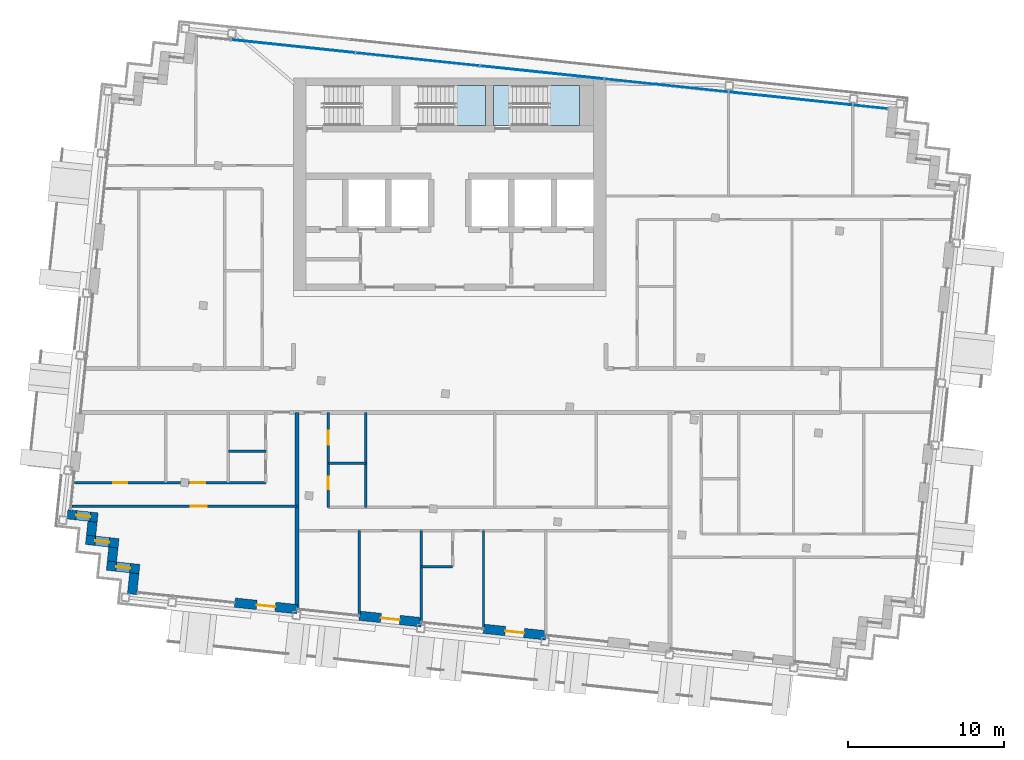
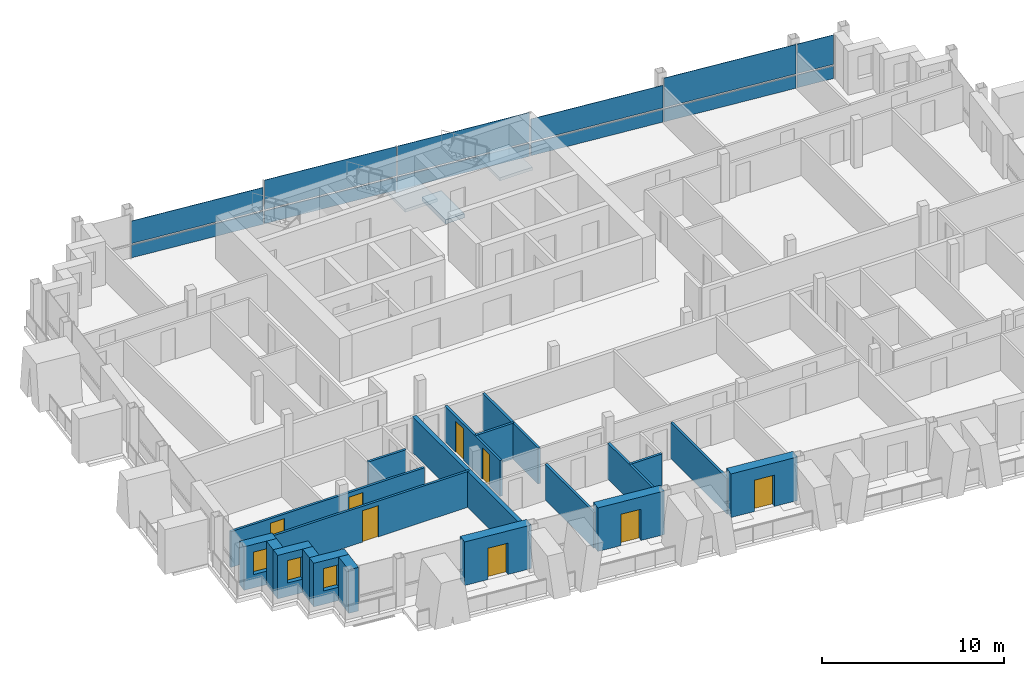
# One storey, part 8 of 16: 20 walls, 12 plates, 8 doors, 3 slabs, 3 windows, 11 openings, 3 elements without a shape of their own.
"""IFC4 building model written with IfcOpenShell, lengths in metres."""

import ifcopenshell
import ifcopenshell.guid

model = None  # the IFC model being written
_history = None  # IfcOwnerHistory: only IFC2X3 demands one
_inside = {}  # id of a spatial element -> (the spatial element, [elements in it])
_under = {}  # id of a project, library or spatial element -> (it, [spatial elements below it])
_declared = {}  # id of a project -> (the project, [libraries it declares])
_typed = {}  # id of a type object -> (the type object, [elements of that type])
_made_of = {}  # id of a material, layer set ... -> (it, [elements and type objects made of it])


def new_model(schema):
    """Start an empty IFC model of exactly this schema.

    Asked for "IFC4X3", IfcOpenShell would pick the latest addendum, in which some entities
    have other attributes; the version numbers below select the first issue.
    IFC2X3 requires an IfcOwnerHistory on every rooted entity: one is made here for all.
    """
    global model, _history
    if schema == "IFC4X3":
        model = ifcopenshell.file(schema_version=(4, 3, 0, 0))
    else:
        model = ifcopenshell.file(schema=schema)
    _inside.clear()
    _under.clear()
    _declared.clear()
    _typed.clear()
    _made_of.clear()
    _history = None
    if model.schema == "IFC2X3":
        org = make("IfcOrganization", Name="unknown")
        user = make(
            "IfcPersonAndOrganization",
            ThePerson=make("IfcPerson", FamilyName="unknown"),
            TheOrganization=org,
        )
        app = make(
            "IfcApplication",
            ApplicationDeveloper=org,
            Version="unknown",
            ApplicationFullName="unknown",
            ApplicationIdentifier="unknown",
        )
        _history = make(
            "IfcOwnerHistory",
            OwningUser=user,
            OwningApplication=app,
            ChangeAction="ADDED",
            CreationDate=0,
        )
    return model


def make(cls, **values):
    """One entity of the class cls with the attributes given. An attribute that is None is left unset."""
    return model.create_entity(
        cls, **{name: value for name, value in values.items() if value is not None}
    )


def rooted(cls, **values):
    """An entity with a GlobalId (a new one), such as an element, a storey or a relation."""
    return make(cls, GlobalId=ifcopenshell.guid.new(), OwnerHistory=_history, **values)


def si_unit(unit_type, name, prefix=None):
    """IfcSIUnit, for example si_unit("LENGTHUNIT", "METRE", prefix="MILLI")."""
    return make("IfcSIUnit", UnitType=unit_type, Prefix=prefix, Name=name)


def assignment(units):
    """IfcUnitAssignment: the units of a project."""
    return None if units is None else make("IfcUnitAssignment", Units=units)


def point(xyz):
    """IfcCartesianPoint."""
    return None if xyz is None else make("IfcCartesianPoint", Coordinates=xyz)


def direction(xyz):
    """IfcDirection."""
    return None if xyz is None else make("IfcDirection", DirectionRatios=xyz)


def frame(location, z_axis=None, x_axis=None):
    """IfcAxis2Placement3D, a coordinate frame: its origin and axes. An axis left out is left unset."""
    return make(
        "IfcAxis2Placement3D",
        Location=point(location),
        Axis=direction(z_axis),
        RefDirection=direction(x_axis),
    )


def frame_2d(location, x_axis=None):
    """IfcAxis2Placement2D, a coordinate frame in the plane: its origin and x axis."""
    return make(
        "IfcAxis2Placement2D", Location=point(location), RefDirection=direction(x_axis)
    )


def origin():
    """The frame at (0, 0, 0) with its axes left unset."""
    return frame((0.0, 0.0, 0.0))


def origin_2d():
    """The frame at (0, 0) in the plane with its x axis left unset."""
    return frame_2d((0.0, 0.0))


def place(relative_to, where):
    """IfcLocalPlacement: puts the frame where relative to a parent placement (None: the world)."""
    return make(
        "IfcLocalPlacement", PlacementRelTo=relative_to, RelativePlacement=where
    )


def context(
    kind, dimensions, precision=None, world=None, true_north=None, identifier=None
):
    """IfcGeometricRepresentationContext, for example the 3D "Model" context."""
    return make(
        "IfcGeometricRepresentationContext",
        ContextIdentifier=identifier,
        ContextType=kind,
        CoordinateSpaceDimension=dimensions,
        Precision=precision,
        WorldCoordinateSystem=world,
        TrueNorth=true_north,
    )


def subcontext(parent, identifier, kind, view, scale=None):
    """IfcGeometricRepresentationSubContext, for example "Body" below "Model"."""
    return make(
        "IfcGeometricRepresentationSubContext",
        ContextIdentifier=identifier,
        ContextType=kind,
        ParentContext=parent,
        TargetScale=scale,
        TargetView=view,
    )


def project(units=None, contexts=None):
    """IfcProject with its units and contexts."""
    return rooted(
        "IfcProject",
        Name="project",
        RepresentationContexts=contexts,
        UnitsInContext=assignment(units),
    )


def spatial(cls, under=None, at=None, **own):
    """A site, building, storey or space (cls), placed at a placement, below another one or the project."""
    s = rooted(cls, ObjectPlacement=at, **own)
    if under is not None:
        _under.setdefault(under.id(), (under, []))[1].append(s)
    return s


def polyline(points):
    """IfcPolyline through the points."""
    return make("IfcPolyline", Points=[point(p) for p in points])


def profile(cls, at=None, kind="AREA", **sizes):
    """A parametric profile (cls). Its sizes go by their IFC names, for example OverallWidth=200.0."""
    return make(cls, ProfileType=kind, Position=at, **sizes)


def rectangle(**sizes):
    """IfcRectangleProfileDef."""
    return profile("IfcRectangleProfileDef", **sizes)


def outline(outer, holes=None, kind="AREA"):
    """IfcArbitraryClosedProfileDef: a profile drawn as a closed curve; with holes, ...WithVoids."""
    if holes is None:
        return make("IfcArbitraryClosedProfileDef", ProfileType=kind, OuterCurve=outer)
    return make(
        "IfcArbitraryProfileDefWithVoids",
        ProfileType=kind,
        OuterCurve=outer,
        InnerCurves=holes,
    )


def extrude(swept, where, along, depth):
    """IfcExtrudedAreaSolid: the profile swept, set in the frame where, extruded along a direction by depth."""
    return make(
        "IfcExtrudedAreaSolid",
        SweptArea=swept,
        Position=where,
        ExtrudedDirection=direction(along),
        Depth=depth,
    )


def shape(context_of_items, identifier, shape_type, items):
    """IfcShapeRepresentation: the items that make up one representation, for example the "Body"."""
    return make(
        "IfcShapeRepresentation",
        ContextOfItems=context_of_items,
        RepresentationIdentifier=identifier,
        RepresentationType=shape_type,
        Items=items,
    )


def material(Name=None, Category=None):
    """IfcMaterial."""
    return make("IfcMaterial", Name=Name, Category=Category)


def layer(
    of_material, thickness, ventilated=None, Name=None, Category=None, Priority=None
):
    """IfcMaterialLayer: one layer of a wall or slab, of a material (None: an air gap)."""
    return make(
        "IfcMaterialLayer",
        Material=of_material,
        LayerThickness=thickness,
        IsVentilated=ventilated,
        Name=Name,
        Category=Category,
        Priority=Priority,
    )


def layer_set(layers, Name=None):
    """IfcMaterialLayerSet."""
    return make("IfcMaterialLayerSet", MaterialLayers=layers, LayerSetName=Name)


def made_of(thing, what):
    """Note that an element or type object is made of a material, layer set ...; save() writes the relation."""
    if what is not None:
        _made_of.setdefault(what.id(), (what, []))[1].append(thing)
    return thing


def type_object(cls, material=None, **own):
    """A type object (cls), such as IfcWallType, which elements share."""
    return made_of(rooted(cls, **own), material)


def element(
    cls,
    number,
    at=None,
    inside=None,
    cuts=None,
    type_object=None,
    material=None,
    context=None,
    identifier="Body",
    shape_type=None,
    held_by="IfcProductDefinitionShape",
    body=None,
    shapes=None,
    **own,
):
    """One element of the class cls, such as IfcWall. Its Tag is "e" and its number.

    at: its placement. inside: the storey or other place that contains it. cuts: it is an
    opening in that element (IfcRelVoidsElement). A single representation is given by context,
    identifier, shape_type and body (its items); several are given by shapes. held_by: the class
    of the entity that holds the representations. save() writes the other relations.
    """
    e = rooted(cls, Tag="e%d" % number, ObjectPlacement=at, **own)
    if body is not None:
        shapes = [shape(context, identifier, shape_type, body)]
    if shapes is not None:
        e.Representation = make(held_by, Representations=shapes)
    if inside is not None:
        _inside.setdefault(inside.id(), (inside, []))[1].append(e)
    if cuts is not None:
        rooted(
            "IfcRelVoidsElement", RelatingBuildingElement=cuts, RelatedOpeningElement=e
        )
    if type_object is not None:
        _typed.setdefault(type_object.id(), (type_object, []))[1].append(e)
    return made_of(e, material)


def fill(opening, filler):
    """IfcRelFillsElement: the door or window that sits in an opening."""
    return rooted(
        "IfcRelFillsElement",
        RelatingOpeningElement=opening,
        RelatedBuildingElement=filler,
    )


def aggregate(whole, parts):
    """IfcRelAggregates: a whole, such as a stair, and the parts it consists of."""
    return rooted("IfcRelAggregates", RelatingObject=whole, RelatedObjects=parts)


def save(model, path):
    """Write the relations noted so far, then the file.

    IfcRelAggregates (storeys below a building ...), IfcRelContainedInSpatialStructure (elements
    in a storey), IfcRelDefinesByType, IfcRelAssociatesMaterial and IfcRelDeclares: one each for
    every whole, place, type object, material and project.
    """
    for whole, parts in _under.values():
        aggregate(whole, parts)
    for where, things in _inside.values():
        rooted(
            "IfcRelContainedInSpatialStructure",
            RelatedElements=things,
            RelatingStructure=where,
        )
    for kind, things in _typed.values():
        rooted("IfcRelDefinesByType", RelatedObjects=things, RelatingType=kind)
    for what, things in _made_of.values():
        rooted("IfcRelAssociatesMaterial", RelatedObjects=things, RelatingMaterial=what)
    for by, libraries in _declared.values():
        rooted("IfcRelDeclares", RelatingContext=by, RelatedDefinitions=libraries)
    model.write(path)


model = new_model("IFC4")

# Units and contexts
model_context = context("Model", 3, precision=1e-05, world=origin(), true_north=direction((0.0, 1.0)))
body_context = subcontext(model_context, "Body", "Model", "MODEL_VIEW")
ifc_project = project(units=[si_unit("LENGTHUNIT", "METRE"), si_unit("AREAUNIT", "SQUARE_METRE"), si_unit("VOLUMEUNIT", "CUBIC_METRE"), si_unit("PLANEANGLEUNIT", "RADIAN"), si_unit("MASSUNIT", "GRAM", prefix="KILO")], contexts=[model_context])

# Site, building, storey
site_placement = place(None, origin())
site = spatial("IfcSite", under=ifc_project, at=site_placement, CompositionType="ELEMENT")
building_placement = place(site_placement, origin())
building = spatial("IfcBuilding", under=site, at=building_placement, Name="Vidyagriha Tower", CompositionType="ELEMENT")
storey_placement = place(building_placement, frame((0.0, 0.0, 259.5)))
storey = spatial("IfcBuildingStorey", under=building, at=storey_placement, Name="L67", CompositionType="ELEMENT", Elevation=259.5)

# Curtain wall, plates
ifc_material_1 = material(Name="Aluminium and glass curtain wall", Category="aluminium")
curtain_wall_type = type_object("IfcCurtainWallType", Name="Dwelling skin unitised curtain wall", PredefinedType="USERDEFINED", material=ifc_material_1)
curtain_wall_placement = place(storey_placement, origin())
curtain_wall = element("IfcCurtainWall", 1, at=curtain_wall_placement, inside=storey, type_object=curtain_wall_type, Name="CW1 dwelling skin", ObjectType="UNITISED", PredefinedType="USERDEFINED")
ifc_material_2 = material(Name="Glass dark ceramic-fritted spandrel", Category="glass")
ifc_layer_1 = layer(ifc_material_2, 0.0400390625)
ifc_layer_set_1 = layer_set([ifc_layer_1], Name="Glass dark ceramic-fritted spandrel")
plate_type_1 = type_object("IfcPlateType", Name="Ceramic-fritted spandrel panel", PredefinedType="CURTAIN_PANEL", material=ifc_layer_set_1)
plate_1_placement = place(storey_placement, frame((26.922607421875, 18.14599609375, 0.0), z_axis=(0.0, 0.0, 1.0), x_axis=(-0.994521854435, 0.104528852722, 0.0)))
plate_1 = element("IfcPlate", 2, at=plate_1_placement, type_object=plate_type_1, Name="CW1 panel 1.1", PredefinedType="CURTAIN_PANEL", context=body_context, shape_type="SweptSolid", body=[
    extrude(rectangle(XDim=2.195068359375, YDim=0.0400390625, at=origin_2d()), origin(), (0.0, 0.0, 1.0), 0.85009765625),
])
plate_2_placement = place(storey_placement, frame((13.862060546875, 19.518798828125, 0.0), z_axis=(0.0, 0.0, 1.0), x_axis=(-0.994521854435, 0.104528852722, 0.0)))
plate_2 = element("IfcPlate", 3, at=plate_2_placement, type_object=plate_type_1, Name="CW1 panel 3.1", PredefinedType="CURTAIN_PANEL", context=body_context, shape_type="SweptSolid", body=[
    extrude(rectangle(XDim=7.929931640625, YDim=0.0400390625, at=origin_2d()), origin(), (0.0, 0.0, 1.0), 0.85009765625),
])
plate_3_placement = place(storey_placement, frame((-2.05029296875, 21.191162109375, 0.0), z_axis=(0.0, 0.0, 1.0), x_axis=(-0.994521854435, 0.104528852722, 0.0)))
plate_3 = element("IfcPlate", 4, at=plate_3_placement, type_object=plate_type_1, Name="CW1 panel 5.1", PredefinedType="CURTAIN_PANEL", context=body_context, shape_type="SweptSolid", body=[
    extrude(rectangle(XDim=7.929931640625, YDim=0.0400390625, at=origin_2d()), origin(), (0.0, 0.0, 1.0), 0.85009765625),
])
ifc_material_3 = material(Name="Glass dark ceramic-fritted", Category="glass")
ifc_layer_2 = layer(ifc_material_3, 0.028076171875)
ifc_layer_set_2 = layer_set([ifc_layer_2], Name="Glass dark ceramic-fritted")
plate_type_2 = type_object("IfcPlateType", Name="Dark ceramic-fritted vision glass panel", PredefinedType="CURTAIN_PANEL", material=ifc_layer_set_2)
plate_4_placement = place(storey_placement, frame((26.922607421875, 18.14599609375, 0.9501953125), z_axis=(0.0, 0.0, 1.0), x_axis=(-0.994521854435, 0.104528852722, 0.0)))
plate_4 = element("IfcPlate", 5, at=plate_4_placement, type_object=plate_type_2, Name="CW1 panel 1.2", PredefinedType="CURTAIN_PANEL", context=body_context, shape_type="SweptSolid", body=[
    extrude(rectangle(XDim=2.195068359375, YDim=0.028076171875, at=origin_2d()), origin(), (0.0, 0.0, 1.0), 1.969970703125),
])
plate_5_placement = place(storey_placement, frame((21.818359375, 18.6826171875, 0.9501953125), z_axis=(0.0, 0.0, 1.0), x_axis=(-0.994521854435, 0.104528852722, 0.0)))
plate_5 = element("IfcPlate", 6, at=plate_5_placement, type_object=plate_type_2, Name="CW1 panel 2.2", PredefinedType="CURTAIN_PANEL", context=body_context, shape_type="SweptSolid", body=[
    extrude(rectangle(XDim=7.929931640625, YDim=0.028076171875, at=origin_2d()), origin(), (0.0, 0.0, 1.0), 1.969970703125),
])
plate_6_placement = place(storey_placement, frame((13.862060546875, 19.518798828125, 0.949951171875), z_axis=(0.0, 0.0, 1.0), x_axis=(-0.994521854435, 0.104528852722, 0.0)))
plate_6 = element("IfcPlate", 7, at=plate_6_placement, type_object=plate_type_2, Name="CW1 panel 3.2", PredefinedType="CURTAIN_PANEL", context=body_context, shape_type="SweptSolid", body=[
    extrude(rectangle(XDim=7.929931640625, YDim=0.028076171875, at=origin_2d()), origin(), (0.0, 0.0, 1.0), 1.5078125),
])
plate_7_placement = place(storey_placement, frame((5.906005859375, 20.35498046875, 0.9501953125), z_axis=(0.0, 0.0, 1.0), x_axis=(-0.994521854435, 0.104528852722, 0.0)))
plate_7 = element("IfcPlate", 8, at=plate_7_placement, type_object=plate_type_2, Name="CW1 panel 4.2", PredefinedType="CURTAIN_PANEL", context=body_context, shape_type="SweptSolid", body=[
    extrude(rectangle(XDim=7.929931640625, YDim=0.028076171875, at=origin_2d()), origin(), (0.0, 0.0, 1.0), 1.969970703125),
])
plate_8_placement = place(storey_placement, frame((-2.05029296875, 21.191162109375, 0.9501953125), z_axis=(0.0, 0.0, 1.0), x_axis=(-0.994521854435, 0.104528852722, 0.0)))
plate_8 = element("IfcPlate", 9, at=plate_8_placement, type_object=plate_type_2, Name="CW1 panel 5.2", PredefinedType="CURTAIN_PANEL", context=body_context, shape_type="SweptSolid", body=[
    extrude(rectangle(XDim=7.929931640625, YDim=0.028076171875, at=origin_2d()), origin(), (0.0, 0.0, 1.0), 1.969970703125),
])
plate_9_placement = place(storey_placement, frame((-10.00634765625, 22.027587890625, 0.949951171875), z_axis=(0.0, 0.0, 1.0), x_axis=(-0.994521854435, 0.104528852722, 0.0)))
plate_9 = element("IfcPlate", 10, at=plate_9_placement, type_object=plate_type_2, Name="CW1 panel 6.2", PredefinedType="CURTAIN_PANEL", context=body_context, shape_type="SweptSolid", body=[
    extrude(rectangle(XDim=7.929931640625, YDim=0.028076171875, at=origin_2d()), origin(), (0.0, 0.0, 1.0), 1.5078125),
])

# Slab
ifc_material_4 = material(Name="Concrete C40/50", Category="concrete")
ifc_layer_3 = layer(ifc_material_4, 0.280029296875)
ifc_layer_set_3 = layer_set([ifc_layer_3], Name="Concrete C40/50")
slab_type_1 = type_object("IfcSlabType", Name="Exit stair floor landing 280 mm", PredefinedType="LANDING", material=ifc_layer_set_3)
slab_1_placement = place(storey_placement, frame((0.0, 0.0, -0.280029296875)))
element("IfcSlab", 11, at=slab_1_placement, inside=storey, type_object=slab_type_1, Name="ST3 floor landing L67", PredefinedType="LANDING", context=body_context, shape_type="SweptSolid", body=[
    extrude(outline(polyline([(2.800048828125, 16.949951171875), (4.0, 16.949951171875), (4.0, 19.5), (2.800048828125, 19.5), (2.800048828125, 16.949951171875)])), origin(), (0.0, 0.0, 1.0), 0.280029296875),
])

# Stair, slab
ifc_material_5 = material(Name="Concrete C40/50", Category="concrete")
stair_type = type_object("IfcStairType", Name="Exit stair, half-turn, precast flights", PredefinedType="HALF_TURN_STAIR", material=ifc_material_5)
stair_1_placement = place(storey_placement, origin())
stair_1 = element("IfcStair", 12, at=stair_1_placement, inside=storey, type_object=stair_type, Name="L67 Exit Stair ST2", PredefinedType="HALF_TURN_STAIR")
ifc_material_6 = material(Name="Concrete C40/50", Category="concrete")
ifc_layer_4 = layer(ifc_material_6, 0.199951171875)
ifc_layer_set_4 = layer_set([ifc_layer_4], Name="Concrete C40/50")
slab_type_2 = type_object("IfcSlabType", Name="Exit stair landing 200 mm", PredefinedType="LANDING", material=ifc_layer_set_4)
slab_2_placement = place(storey_placement, frame((0.0, 0.0, 1.39990234375)))
slab_2 = element("IfcSlab", 13, at=slab_2_placement, type_object=slab_type_2, Name="ST2 landing 1", PredefinedType="LANDING", context=body_context, shape_type="SweptSolid", body=[
    extrude(outline(polyline([(0.239990234375, 16.949951171875), (2.300048828125, 16.949951171875), (2.300048828125, 19.5), (0.239990234375, 19.5), (0.239990234375, 16.949951171875)])), origin(), (0.0, 0.0, 1.0), 0.2001953125),
])
aggregate(stair_1, [slab_2])

stair_2_placement = place(storey_placement, origin())
stair_2 = element("IfcStair", 14, at=stair_2_placement, inside=storey, type_object=stair_type, Name="L67 Exit Stair ST3", PredefinedType="HALF_TURN_STAIR")
slab_3_placement = place(storey_placement, frame((0.0, 0.0, 1.39990234375)))
slab_3 = element("IfcSlab", 15, at=slab_3_placement, type_object=slab_type_2, Name="ST3 landing 1", PredefinedType="LANDING", context=body_context, shape_type="SweptSolid", body=[
    extrude(outline(polyline([(6.239990234375, 16.949951171875), (8.300048828125, 16.949951171875), (8.300048828125, 19.5), (6.239990234375, 19.5), (6.239990234375, 16.949951171875)])), origin(), (0.0, 0.0, 1.0), 0.2001953125),
])
aggregate(stair_2, [slab_3])

# Plate
ifc_material_7 = material(Name="Aluminium black anodised", Category="aluminium")
ifc_layer_5 = layer(ifc_material_7, 0.06005859375)
ifc_layer_set_5 = layer_set([ifc_layer_5], Name="Aluminium black anodised")
plate_type_3 = type_object("IfcPlateType", Name="Operable black-metal vent panel", PredefinedType="CURTAIN_PANEL", material=ifc_layer_set_5)
plate_10_placement = place(storey_placement, frame((21.818359375, 18.6826171875, 0.0), z_axis=(0.0, 0.0, 1.0), x_axis=(-0.994521854435, 0.104528852722, 0.0)))
plate_10 = element("IfcPlate", 16, at=plate_10_placement, type_object=plate_type_3, Name="CW1 panel 2.1", PredefinedType="CURTAIN_PANEL", context=body_context, shape_type="SweptSolid", body=[
    extrude(rectangle(XDim=7.929931640625, YDim=0.06005859375, at=origin_2d()), origin(), (0.0, 0.0, 1.0), 0.85009765625),
])

plate_11_placement = place(storey_placement, frame((5.906005859375, 20.35498046875, 0.0), z_axis=(0.0, 0.0, 1.0), x_axis=(-0.994521854435, 0.104528852722, 0.0)))
plate_11 = element("IfcPlate", 17, at=plate_11_placement, type_object=plate_type_3, Name="CW1 panel 4.1", PredefinedType="CURTAIN_PANEL", context=body_context, shape_type="SweptSolid", body=[
    extrude(rectangle(XDim=7.929931640625, YDim=0.06005859375, at=origin_2d()), origin(), (0.0, 0.0, 1.0), 0.85009765625),
])

plate_12_placement = place(storey_placement, frame((-10.00634765625, 22.027587890625, 0.0), z_axis=(0.0, 0.0, 1.0), x_axis=(-0.994521854435, 0.104528852722, 0.0)))
plate_12 = element("IfcPlate", 18, at=plate_12_placement, type_object=plate_type_3, Name="CW1 panel 6.1", PredefinedType="CURTAIN_PANEL", context=body_context, shape_type="SweptSolid", body=[
    extrude(rectangle(XDim=7.929931640625, YDim=0.06005859375, at=origin_2d()), origin(), (0.0, 0.0, 1.0), 0.85009765625),
])

aggregate(curtain_wall, [plate_1, plate_4, plate_10, plate_5, plate_2, plate_6, plate_11, plate_7, plate_3, plate_8, plate_12, plate_9])

# Wall, opening, window
ifc_material_8 = material(Name="Precast concrete C40/50 with brick facing", Category="concrete")
ifc_layer_6 = layer(ifc_material_8, 0.60009765625)
ifc_layer_set_6 = layer_set([ifc_layer_6], Name="Precast concrete C40/50 with brick facing")
wall_type_1 = type_object("IfcWallType", Name="Brick-faced precast wall 600", PredefinedType="STANDARD", material=ifc_layer_set_6)
wall_1_placement = place(storey_placement, frame((-24.466552734375, -7.92529296875, 0.0), z_axis=(0.0, 0.0, 1.0), x_axis=(0.994521219184, -0.104534896528, 0.0)))
wall_1 = element("IfcWall", 19, at=wall_1_placement, inside=storey, type_object=wall_type_1, Name="Stepped corner wall L67 R15", PredefinedType="STANDARD", context=body_context, shape_type="SweptSolid", body=[
    extrude(rectangle(XDim=1.9501953125, YDim=0.60009765625, at=frame_2d((0.97509765625, 0.0))), origin(), (0.0, 0.0, 1.0), 2.919921875),
])
opening_1_placement = place(wall_1_placement, frame((0.56005859375, 0.0, 0.89990234375)))
opening_1 = element("IfcOpeningElement", 20, at=opening_1_placement, cuts=wall_1, Name="Opening WN1", PredefinedType="OPENING", context=body_context, shape_type="SweptSolid", body=[
    extrude(rectangle(XDim=0.89990234375, YDim=1.5, at=frame_2d((0.449951171875, 0.75))), frame((0.0, 0.31005859375, 0.0), z_axis=(0.0, -1.0, 0.0), x_axis=(1.0, 0.0, 0.0)), (0.0, 0.0, 1.0), 0.6201171875),
])
ifc_material_9 = material(Name="Aluminium and glass window", Category="aluminium")
window_type = type_object("IfcWindowType", Name="Reveal window 900x1500", PartitioningType="NOTDEFINED", PredefinedType="WINDOW", material=ifc_material_9)
window_1_placement = place(opening_1_placement, origin())
window_1 = element("IfcWindow", 21, at=window_1_placement, inside=storey, type_object=window_type, Name="Reveal window L67 R15", OverallHeight=1.5, OverallWidth=0.89990234375, PartitioningType="SINGLE_PANEL", PredefinedType="WINDOW", context=body_context, shape_type="SweptSolid", body=[
    extrude(rectangle(XDim=0.89990234375, YDim=1.5, at=frame_2d((0.449951171875, 0.75))), frame((0.0, 0.030029296875, 0.0), z_axis=(0.0, -1.0, 0.0), x_axis=(1.0, 0.0, 0.0)), (0.0, 0.0, 1.0), 0.06005859375),
])
fill(opening_1, window_1)

# Wall
wall_2_placement = place(storey_placement, frame((-22.85693359375, -8.39599609375, 0.0), z_axis=(0.0, 0.0, 1.0), x_axis=(-0.104444712852, -0.994530694326, 0.0)))
element("IfcWall", 22, at=wall_2_placement, inside=storey, type_object=wall_type_1, Name="Stepped corner wall L67 R16", PredefinedType="STANDARD", context=body_context, shape_type="SweptSolid", body=[
    extrude(rectangle(XDim=0.89990234375, YDim=0.60009765625, at=frame_2d((0.449951171875, 0.0))), origin(), (0.0, 0.0, 1.0), 2.919921875),
])

# Wall, opening, window
wall_3_placement = place(storey_placement, frame((-23.28076171875, -9.55810546875, 0.0), z_axis=(0.0, 0.0, 1.0), x_axis=(0.994523910136, -0.104509292252, 0.0)))
wall_3 = element("IfcWall", 23, at=wall_3_placement, inside=storey, type_object=wall_type_1, Name="Stepped corner wall L67 R17", PredefinedType="STANDARD", context=body_context, shape_type="SweptSolid", body=[
    extrude(rectangle(XDim=2.10009765625, YDim=0.60009765625, at=frame_2d((1.050048828125, 0.0))), origin(), (0.0, 0.0, 1.0), 2.919921875),
])
opening_2_placement = place(wall_3_placement, frame((0.60009765625, 0.0, 0.89990234375)))
opening_2 = element("IfcOpeningElement", 24, at=opening_2_placement, cuts=wall_3, Name="Opening WN1", PredefinedType="OPENING", context=body_context, shape_type="SweptSolid", body=[
    extrude(rectangle(XDim=0.89990234375, YDim=1.5, at=frame_2d((0.449951171875, 0.75))), frame((0.0, 0.31005859375, 0.0), z_axis=(0.0, -1.0, 0.0), x_axis=(1.0, 0.0, 0.0)), (0.0, 0.0, 1.0), 0.6201171875),
])
window_2_placement = place(opening_2_placement, origin())
window_2 = element("IfcWindow", 25, at=window_2_placement, inside=storey, type_object=window_type, Name="Reveal window L67 R17", OverallHeight=1.5, OverallWidth=0.89990234375, PartitioningType="SINGLE_PANEL", PredefinedType="WINDOW", context=body_context, shape_type="SweptSolid", body=[
    extrude(rectangle(XDim=0.89990234375, YDim=1.5, at=frame_2d((0.449951171875, 0.75))), frame((0.0, 0.030029296875, 0.0), z_axis=(0.0, -1.0, 0.0), x_axis=(1.0, 0.0, 0.0)), (0.0, 0.0, 1.0), 0.06005859375),
])
fill(opening_2, window_2)

# Wall
wall_4_placement = place(storey_placement, frame((-21.52197265625, -10.04443359375, 0.0), z_axis=(0.0, 0.0, 1.0), x_axis=(-0.104416541099, -0.994533652495, 0.0)))
element("IfcWall", 26, at=wall_4_placement, inside=storey, type_object=wall_type_1, Name="Stepped corner wall L67 R18", PredefinedType="STANDARD", context=body_context, shape_type="SweptSolid", body=[
    extrude(rectangle(XDim=0.900146484375, YDim=0.60009765625, at=frame_2d((0.4501953125, 0.0))), origin(), (0.0, 0.0, 1.0), 2.919921875),
])

# Wall, opening, window
wall_5_placement = place(storey_placement, frame((-21.94580078125, -11.20654296875, 0.0), z_axis=(0.0, 0.0, 1.0), x_axis=(0.994511820899, -0.104624271047, 0.0)))
wall_5 = element("IfcWall", 27, at=wall_5_placement, inside=storey, type_object=wall_type_1, Name="Stepped corner wall L67 R19", PredefinedType="STANDARD", context=body_context, shape_type="SweptSolid", body=[
    extrude(rectangle(XDim=2.10009765625, YDim=0.60009765625, at=frame_2d((1.050048828125, 0.0))), origin(), (0.0, 0.0, 1.0), 2.919921875),
])
opening_3_placement = place(wall_5_placement, frame((0.60009765625, 0.0, 0.89990234375)))
opening_3 = element("IfcOpeningElement", 28, at=opening_3_placement, cuts=wall_5, Name="Opening WN1", PredefinedType="OPENING", context=body_context, shape_type="SweptSolid", body=[
    extrude(rectangle(XDim=0.89990234375, YDim=1.5, at=frame_2d((0.449951171875, 0.75))), frame((0.0, 0.31005859375, 0.0), z_axis=(0.0, -1.0, 0.0), x_axis=(1.0, 0.0, 0.0)), (0.0, 0.0, 1.0), 0.6201171875),
])
window_3_placement = place(opening_3_placement, origin())
window_3 = element("IfcWindow", 29, at=window_3_placement, inside=storey, type_object=window_type, Name="Reveal window L67 R19", OverallHeight=1.5, OverallWidth=0.89990234375, PartitioningType="SINGLE_PANEL", PredefinedType="WINDOW", context=body_context, shape_type="SweptSolid", body=[
    extrude(rectangle(XDim=0.89990234375, YDim=1.5, at=frame_2d((0.449951171875, 0.75))), frame((0.0, 0.030029296875, 0.0), z_axis=(0.0, -1.0, 0.0), x_axis=(1.0, 0.0, 0.0)), (0.0, 0.0, 1.0), 0.06005859375),
])
fill(opening_3, window_3)

# Wall
wall_6_placement = place(storey_placement, frame((-20.18701171875, -11.693115234375, 0.0), z_axis=(0.0, 0.0, 1.0), x_axis=(-0.1043365026, -0.994542052517, 0.0)))
element("IfcWall", 30, at=wall_6_placement, inside=storey, type_object=wall_type_1, Name="Stepped corner wall L67 R20", PredefinedType="STANDARD", context=body_context, shape_type="SweptSolid", body=[
    extrude(rectangle(XDim=1.35009765625, YDim=0.60009765625, at=frame_2d((0.675048828125, 0.0))), origin(), (0.0, 0.0, 1.0), 2.919921875),
])

# Wall, opening, door
wall_7_placement = place(storey_placement, frame((-13.74853515625, -13.576416015625, 0.0), z_axis=(0.0, 0.0, 1.0), x_axis=(0.994519156568, -0.104554517933, 0.0)))
wall_7 = element("IfcWall", 31, at=wall_7_placement, inside=storey, type_object=wall_type_1, Name="Brick door bay wall L67 R21.3", PredefinedType="STANDARD", context=body_context, shape_type="SweptSolid", body=[
    extrude(rectangle(XDim=4.0, YDim=0.60009765625, at=frame_2d((2.0, 0.0))), origin(), (0.0, 0.0, 1.0), 2.919921875),
])
opening_4_placement = place(wall_7_placement, frame((1.39990234375, 0.0, 0.0)))
opening_4 = element("IfcOpeningElement", 32, at=opening_4_placement, cuts=wall_7, Name="Opening D67-56", PredefinedType="OPENING", context=body_context, shape_type="SweptSolid", body=[
    extrude(rectangle(XDim=1.199951171875, YDim=2.10009765625, at=frame_2d((0.60009765625, 1.050048828125))), frame((0.0, 0.31005859375, 0.0), z_axis=(0.0, -1.0, 0.0), x_axis=(1.0, 0.0, 0.0)), (0.0, 0.0, 1.0), 0.6201171875),
])
ifc_material_10 = material(Name="Aluminium framed glazed sliding door", Category="aluminium")
door_type_1 = type_object("IfcDoorType", Name="Balcony sliding door 1200x2100", OperationType="NOTDEFINED", PredefinedType="DOOR", material=ifc_material_10)
door_1_placement = place(opening_4_placement, origin())
door_1 = element("IfcDoor", 33, at=door_1_placement, inside=storey, type_object=door_type_1, Name="Door D67-56", OperationType="SLIDING_TO_LEFT", OverallHeight=2.10009765625, OverallWidth=1.199951171875, PredefinedType="DOOR", context=body_context, shape_type="SweptSolid", body=[
    extrude(rectangle(XDim=1.199951171875, YDim=2.10009765625, at=frame_2d((0.60009765625, 1.050048828125))), frame((0.0, 0.02490234375, 0.0), z_axis=(0.0, -1.0, 0.0), x_axis=(1.0, 0.0, 0.0)), (0.0, 0.0, 1.0), 0.050048828125),
])
fill(opening_4, door_1)

wall_8_placement = place(storey_placement, frame((-5.792236328125, -14.412841796875, 0.0), z_axis=(0.0, 0.0, 1.0), x_axis=(0.99452550138, -0.104494148666, 0.0)))
wall_8 = element("IfcWall", 34, at=wall_8_placement, inside=storey, type_object=wall_type_1, Name="Brick door bay wall L67 R21.5", PredefinedType="STANDARD", context=body_context, shape_type="SweptSolid", body=[
    extrude(rectangle(XDim=4.0, YDim=0.60009765625, at=frame_2d((2.0, 0.0))), origin(), (0.0, 0.0, 1.0), 2.919921875),
])
opening_5_placement = place(wall_8_placement, frame((1.39990234375, 0.0, 0.0)))
opening_5 = element("IfcOpeningElement", 35, at=opening_5_placement, cuts=wall_8, Name="Opening D67-57", PredefinedType="OPENING", context=body_context, shape_type="SweptSolid", body=[
    extrude(rectangle(XDim=1.199951171875, YDim=2.10009765625, at=frame_2d((0.60009765625, 1.050048828125))), frame((0.0, 0.31005859375, 0.0), z_axis=(0.0, -1.0, 0.0), x_axis=(1.0, 0.0, 0.0)), (0.0, 0.0, 1.0), 0.6201171875),
])
door_2_placement = place(opening_5_placement, origin())
door_2 = element("IfcDoor", 36, at=door_2_placement, inside=storey, type_object=door_type_1, Name="Door D67-57", OperationType="SLIDING_TO_LEFT", OverallHeight=2.10009765625, OverallWidth=1.199951171875, PredefinedType="DOOR", context=body_context, shape_type="SweptSolid", body=[
    extrude(rectangle(XDim=1.199951171875, YDim=2.10009765625, at=frame_2d((0.60009765625, 1.050048828125))), frame((0.0, 0.02490234375, 0.0), z_axis=(0.0, -1.0, 0.0), x_axis=(1.0, 0.0, 0.0)), (0.0, 0.0, 1.0), 0.050048828125),
])
fill(opening_5, door_2)

wall_9_placement = place(storey_placement, frame((2.163818359375, -15.2490234375, 0.0), z_axis=(0.0, 0.0, 1.0), x_axis=(0.99452550138, -0.104494148666, 0.0)))
wall_9 = element("IfcWall", 37, at=wall_9_placement, inside=storey, type_object=wall_type_1, Name="Brick door bay wall L67 R21.7", PredefinedType="STANDARD", context=body_context, shape_type="SweptSolid", body=[
    extrude(rectangle(XDim=4.0, YDim=0.60009765625, at=frame_2d((2.0, 0.0))), origin(), (0.0, 0.0, 1.0), 2.919921875),
])
opening_6_placement = place(wall_9_placement, frame((1.39990234375, 0.0, 0.0)))
opening_6 = element("IfcOpeningElement", 38, at=opening_6_placement, cuts=wall_9, Name="Opening D67-58", PredefinedType="OPENING", context=body_context, shape_type="SweptSolid", body=[
    extrude(rectangle(XDim=1.199951171875, YDim=2.10009765625, at=frame_2d((0.60009765625, 1.050048828125))), frame((0.0, 0.31005859375, 0.0), z_axis=(0.0, -1.0, 0.0), x_axis=(1.0, 0.0, 0.0)), (0.0, 0.0, 1.0), 0.6201171875),
])
door_3_placement = place(opening_6_placement, origin())
door_3 = element("IfcDoor", 39, at=door_3_placement, inside=storey, type_object=door_type_1, Name="Door D67-58", OperationType="SLIDING_TO_LEFT", OverallHeight=2.10009765625, OverallWidth=1.199951171875, PredefinedType="DOOR", context=body_context, shape_type="SweptSolid", body=[
    extrude(rectangle(XDim=1.199951171875, YDim=2.10009765625, at=frame_2d((0.60009765625, 1.050048828125))), frame((0.0, 0.02490234375, 0.0), z_axis=(0.0, -1.0, 0.0), x_axis=(1.0, 0.0, 0.0)), (0.0, 0.0, 1.0), 0.050048828125),
])
fill(opening_6, door_3)

# Walls
ifc_material_11 = material(Name="Fired clay brick masonry", Category="masonry")
ifc_layer_7 = layer(ifc_material_11, 0.25)
ifc_layer_set_7 = layer_set([ifc_layer_7], Name="Fired clay brick masonry")
wall_type_2 = type_object("IfcWallType", Name="Fired clay brick demising wall 250", PredefinedType="PARTITIONING", material=ifc_layer_set_7)
wall_10_placement = place(storey_placement, frame((-9.77001953125, -1.39990234375, 0.0), z_axis=(0.0, 0.0, 1.0), x_axis=(0.0, -1.0, 0.0)))
element("IfcWall", 40, at=wall_10_placement, inside=storey, type_object=wall_type_2, Name="Wall all-L67-w038", PredefinedType="PARTITIONING", context=body_context, shape_type="SweptSolid", body=[
    extrude(rectangle(XDim=12.50439453125, YDim=0.25, at=frame_2d((6.252197265625, 0.0))), origin(), (0.0, 0.0, 1.0), 2.39990234375),
])
ifc_material_12 = material(Name="Gypsum board partition")
ifc_layer_8 = layer(ifc_material_12, 0.14990234375)
ifc_layer_set_8 = layer_set([ifc_layer_8], Name="Gypsum board partition")
wall_type_3 = type_object("IfcWallType", Name="Gypsum board partition 150", PredefinedType="PARTITIONING", material=ifc_layer_set_8)
wall_11_placement = place(storey_placement, frame((-11.77001953125, -3.89990234375, 0.0), z_axis=(0.0, 0.0, 1.0), x_axis=(-1.0, 0.0, 0.0)))
element("IfcWall", 41, at=wall_11_placement, inside=storey, type_object=wall_type_3, Name="Wall all-L67-w004", PredefinedType="PARTITIONING", context=body_context, shape_type="SweptSolid", body=[
    extrude(rectangle(XDim=2.39990234375, YDim=0.14990234375, at=frame_2d((1.199951171875, 0.0))), origin(), (0.0, 0.0, 1.0), 2.39990234375),
])

# Wall, openings, doors
wall_12_placement = place(storey_placement, frame((-24.0234375, -5.89990234375, 0.0)))
wall_12 = element("IfcWall", 42, at=wall_12_placement, inside=storey, type_object=wall_type_3, Name="Wall all-L67-w007", PredefinedType="PARTITIONING", context=body_context, shape_type="SweptSolid", body=[
    extrude(rectangle(XDim=12.25341796875, YDim=0.14990234375, at=frame_2d((6.126708984375, 0.0))), origin(), (0.0, 0.0, 1.0), 2.39990234375),
])
opening_7_placement = place(wall_12_placement, frame((7.46484375, 0.0, 0.0)))
opening_7 = element("IfcOpeningElement", 43, at=opening_7_placement, cuts=wall_12, Name="Opening D67-13", PredefinedType="OPENING", context=body_context, shape_type="SweptSolid", body=[
    extrude(rectangle(XDim=0.89990234375, YDim=2.10009765625, at=frame_2d((0.449951171875, 1.050048828125))), frame((0.0, 0.0849609375, 0.0), z_axis=(0.0, -1.0, 0.0), x_axis=(1.0, 0.0, 0.0)), (0.0, 0.0, 1.0), 0.169921875),
])
opening_8_placement = place(wall_12_placement, frame((2.494384765625, 0.0, 0.0)))
opening_8 = element("IfcOpeningElement", 44, at=opening_8_placement, cuts=wall_12, Name="Opening D67-14", PredefinedType="OPENING", context=body_context, shape_type="SweptSolid", body=[
    extrude(rectangle(XDim=0.89990234375, YDim=2.10009765625, at=frame_2d((0.449951171875, 1.050048828125))), frame((0.0, 0.0849609375, 0.0), z_axis=(0.0, -1.0, 0.0), x_axis=(1.0, 0.0, 0.0)), (0.0, 0.0, 1.0), 0.169921875),
])
ifc_material_13 = material(Name="Timber door leaf", Category="wood")
door_type_2 = type_object("IfcDoorType", Name="Room door 900x2100", OperationType="NOTDEFINED", PredefinedType="DOOR", material=ifc_material_13)
door_4_placement = place(opening_7_placement, origin())
door_4 = element("IfcDoor", 45, at=door_4_placement, inside=storey, type_object=door_type_2, Name="Door D67-13", OperationType="SINGLE_SWING_RIGHT", OverallHeight=2.10009765625, OverallWidth=0.89990234375, PredefinedType="DOOR", context=body_context, shape_type="SweptSolid", body=[
    extrude(rectangle(XDim=0.89990234375, YDim=2.10009765625, at=frame_2d((0.449951171875, 1.050048828125))), frame((0.0, 0.02490234375, 0.0), z_axis=(0.0, -1.0, 0.0), x_axis=(1.0, 0.0, 0.0)), (0.0, 0.0, 1.0), 0.050048828125),
])
fill(opening_7, door_4)
door_5_placement = place(opening_8_placement, origin())
door_5 = element("IfcDoor", 46, at=door_5_placement, inside=storey, type_object=door_type_2, Name="Door D67-14", OperationType="SINGLE_SWING_LEFT", OverallHeight=2.10009765625, OverallWidth=0.89990234375, PredefinedType="DOOR", context=body_context, shape_type="SweptSolid", body=[
    extrude(rectangle(XDim=0.89990234375, YDim=2.10009765625, at=frame_2d((0.449951171875, 1.050048828125))), frame((0.0, 0.02490234375, 0.0), z_axis=(0.0, -1.0, 0.0), x_axis=(1.0, 0.0, 0.0)), (0.0, 0.0, 1.0), 0.050048828125),
])
fill(opening_8, door_5)

# Wall, opening, door
wall_13_placement = place(storey_placement, frame((-9.77001953125, -7.39990234375, 0.0), z_axis=(0.0, 0.0, 1.0), x_axis=(-1.0, 0.0, 0.0)))
wall_13 = element("IfcWall", 47, at=wall_13_placement, inside=storey, type_object=wall_type_3, Name="Wall all-L67-w010", PredefinedType="PARTITIONING", context=body_context, shape_type="SweptSolid", body=[
    extrude(rectangle(XDim=14.4111328125, YDim=0.14990234375, at=frame_2d((7.20556640625, 0.0))), origin(), (0.0, 0.0, 1.0), 2.39990234375),
])
opening_9_placement = place(wall_13_placement, frame((5.78857421875, 0.0, 0.0)))
opening_9 = element("IfcOpeningElement", 48, at=opening_9_placement, cuts=wall_13, Name="Opening D67-15", PredefinedType="OPENING", context=body_context, shape_type="SweptSolid", body=[
    extrude(rectangle(XDim=1.0, YDim=2.10009765625, at=frame_2d((0.5, 1.050048828125))), frame((0.0, 0.0849609375, 0.0), z_axis=(0.0, -1.0, 0.0), x_axis=(1.0, 0.0, 0.0)), (0.0, 0.0, 1.0), 0.169921875),
])
ifc_material_14 = material(Name="Timber door leaf", Category="wood")
door_type_3 = type_object("IfcDoorType", Name="Room door 1000x2100", OperationType="NOTDEFINED", PredefinedType="DOOR", material=ifc_material_14)
door_6_placement = place(opening_9_placement, origin())
door_6 = element("IfcDoor", 49, at=door_6_placement, inside=storey, type_object=door_type_3, Name="Door D67-15", OperationType="SINGLE_SWING_LEFT", OverallHeight=2.10009765625, OverallWidth=1.0, PredefinedType="DOOR", context=body_context, shape_type="SweptSolid", body=[
    extrude(rectangle(XDim=1.0, YDim=2.10009765625, at=frame_2d((0.5, 1.050048828125))), frame((0.0, 0.02490234375, 0.0), z_axis=(0.0, -1.0, 0.0), x_axis=(1.0, 0.0, 0.0)), (0.0, 0.0, 1.0), 0.050048828125),
])
fill(opening_9, door_6)

# Walls
wall_14_placement = place(storey_placement, frame((-5.3701171875, -4.64990234375, 0.0), z_axis=(0.0, 0.0, 1.0), x_axis=(-1.0, 0.0, 0.0)))
element("IfcWall", 50, at=wall_14_placement, inside=storey, type_object=wall_type_3, Name="Wall all-L67-w016", PredefinedType="PARTITIONING", context=body_context, shape_type="SweptSolid", body=[
    extrude(rectangle(XDim=2.39990234375, YDim=0.14990234375, at=frame_2d((1.199951171875, 0.0))), origin(), (0.0, 0.0, 1.0), 2.39990234375),
])
wall_15_placement = place(storey_placement, frame((-5.3701171875, -1.39990234375, 0.0), z_axis=(0.0, 0.0, 1.0), x_axis=(0.0, -1.0, 0.0)))
element("IfcWall", 51, at=wall_15_placement, inside=storey, type_object=wall_type_3, Name="Wall all-L67-w017", PredefinedType="PARTITIONING", context=body_context, shape_type="SweptSolid", body=[
    extrude(rectangle(XDim=6.07470703125, YDim=0.14990234375, at=frame_2d((3.037353515625, 0.0))), origin(), (0.0, 0.0, 1.0), 2.39990234375),
])
wall_16_placement = place(storey_placement, frame((-5.792236328125, -8.974609375, 0.0), z_axis=(0.0, 0.0, 1.0), x_axis=(0.0, -1.0, 0.0)))
element("IfcWall", 52, at=wall_16_placement, inside=storey, type_object=wall_type_3, Name="Wall all-L67-w030", PredefinedType="PARTITIONING", context=body_context, shape_type="SweptSolid", body=[
    extrude(rectangle(XDim=5.358642578125, YDim=0.14990234375, at=frame_2d((2.67919921875, 0.0))), origin(), (0.0, 0.0, 1.0), 2.39990234375),
])
wall_17_placement = place(storey_placement, frame((-1.814208984375, -8.974609375, 0.0), z_axis=(0.0, 0.0, 1.0), x_axis=(0.0, -1.0, 0.0)))
element("IfcWall", 53, at=wall_17_placement, inside=storey, type_object=wall_type_3, Name="Wall all-L67-w031", PredefinedType="PARTITIONING", context=body_context, shape_type="SweptSolid", body=[
    extrude(rectangle(XDim=5.765869140625, YDim=0.14990234375, at=frame_2d((2.8828125, 0.0))), origin(), (0.0, 0.0, 1.0), 2.39990234375),
])
wall_18_placement = place(storey_placement, frame((2.163818359375, -8.974609375, 0.0), z_axis=(0.0, 0.0, 1.0), x_axis=(0.0, -1.0, 0.0)))
element("IfcWall", 54, at=wall_18_placement, inside=storey, type_object=wall_type_3, Name="Wall all-L67-w032", PredefinedType="PARTITIONING", context=body_context, shape_type="SweptSolid", body=[
    extrude(rectangle(XDim=6.19482421875, YDim=0.14990234375, at=frame_2d((3.097412109375, 0.0))), origin(), (0.0, 0.0, 1.0), 2.39990234375),
])
wall_19_placement = place(storey_placement, frame((0.185791015625, -11.2744140625, 0.0), z_axis=(0.0, 0.0, 1.0), x_axis=(-1.0, 0.0, 0.0)))
element("IfcWall", 55, at=wall_19_placement, inside=storey, type_object=wall_type_3, Name="Wall all-L67-w035", PredefinedType="PARTITIONING", context=body_context, shape_type="SweptSolid", body=[
    extrude(rectangle(XDim=2.0, YDim=0.14990234375, at=frame_2d((1.0, 0.0))), origin(), (0.0, 0.0, 1.0), 2.39990234375),
])

# Wall, openings, doors
ifc_material_15 = material(Name="Moisture resistant gypsum board partition")
ifc_layer_9 = layer(ifc_material_15, 0.14990234375)
ifc_layer_set_9 = layer_set([ifc_layer_9], Name="Moisture resistant gypsum board partition")
wall_type_4 = type_object("IfcWallType", Name="Gypsum board wet-area partition 150", PredefinedType="PARTITIONING", material=ifc_layer_set_9)
wall_20_placement = place(storey_placement, frame((-7.77001953125, -1.39990234375, 0.0), z_axis=(0.0, 0.0, 1.0), x_axis=(0.0, -1.0, 0.0)))
wall_20 = element("IfcWall", 56, at=wall_20_placement, inside=storey, type_object=wall_type_4, Name="Wall all-L67-w013", PredefinedType="PARTITIONING", context=body_context, shape_type="SweptSolid", body=[
    extrude(rectangle(XDim=6.07470703125, YDim=0.14990234375, at=frame_2d((3.037353515625, 0.0))), origin(), (0.0, 0.0, 1.0), 2.39990234375),
])
opening_10_placement = place(wall_20_placement, frame((1.175048828125, 0.0, 0.0)))
opening_10 = element("IfcOpeningElement", 57, at=opening_10_placement, cuts=wall_20, Name="Opening D67-17", PredefinedType="OPENING", context=body_context, shape_type="SweptSolid", body=[
    extrude(rectangle(XDim=0.89990234375, YDim=2.10009765625, at=frame_2d((0.449951171875, 1.050048828125))), frame((0.0, 0.0849609375, 0.0), z_axis=(0.0, -1.0, 0.0), x_axis=(1.0, 0.0, 0.0)), (0.0, 0.0, 1.0), 0.169921875),
])
opening_11_placement = place(wall_20_placement, frame((4.129638671875, 0.0, 0.0)))
opening_11 = element("IfcOpeningElement", 58, at=opening_11_placement, cuts=wall_20, Name="Opening D67-18", PredefinedType="OPENING", context=body_context, shape_type="SweptSolid", body=[
    extrude(rectangle(XDim=0.800048828125, YDim=2.10009765625, at=frame_2d((0.39990234375, 1.050048828125))), frame((0.0, 0.0849609375, 0.0), z_axis=(0.0, -1.0, 0.0), x_axis=(1.0, 0.0, 0.0)), (0.0, 0.0, 1.0), 0.169921875),
])
ifc_material_16 = material(Name="Timber door leaf", Category="wood")
door_type_4 = type_object("IfcDoorType", Name="Bathroom door 800x2100", OperationType="NOTDEFINED", PredefinedType="DOOR", material=ifc_material_16)
door_7_placement = place(opening_11_placement, origin())
door_7 = element("IfcDoor", 59, at=door_7_placement, inside=storey, type_object=door_type_4, Name="Door D67-18", OperationType="SINGLE_SWING_LEFT", OverallHeight=2.10009765625, OverallWidth=0.800048828125, PredefinedType="DOOR", context=body_context, shape_type="SweptSolid", body=[
    extrude(rectangle(XDim=0.800048828125, YDim=2.10009765625, at=frame_2d((0.39990234375, 1.050048828125))), frame((0.0, 0.02490234375, 0.0), z_axis=(0.0, -1.0, 0.0), x_axis=(1.0, 0.0, 0.0)), (0.0, 0.0, 1.0), 0.050048828125),
])
fill(opening_11, door_7)
ifc_material_17 = material(Name="Timber door leaf", Category="wood")
door_type_5 = type_object("IfcDoorType", Name="Kitchen door 900x2100", OperationType="NOTDEFINED", PredefinedType="DOOR", material=ifc_material_17)
door_8_placement = place(opening_10_placement, origin())
door_8 = element("IfcDoor", 60, at=door_8_placement, inside=storey, type_object=door_type_5, Name="Door D67-17", OperationType="SINGLE_SWING_LEFT", OverallHeight=2.10009765625, OverallWidth=0.89990234375, PredefinedType="DOOR", context=body_context, shape_type="SweptSolid", body=[
    extrude(rectangle(XDim=0.89990234375, YDim=2.10009765625, at=frame_2d((0.449951171875, 1.050048828125))), frame((0.0, 0.02490234375, 0.0), z_axis=(0.0, -1.0, 0.0), x_axis=(1.0, 0.0, 0.0)), (0.0, 0.0, 1.0), 0.050048828125),
])
fill(opening_10, door_8)

save(model, "model.ifc")
